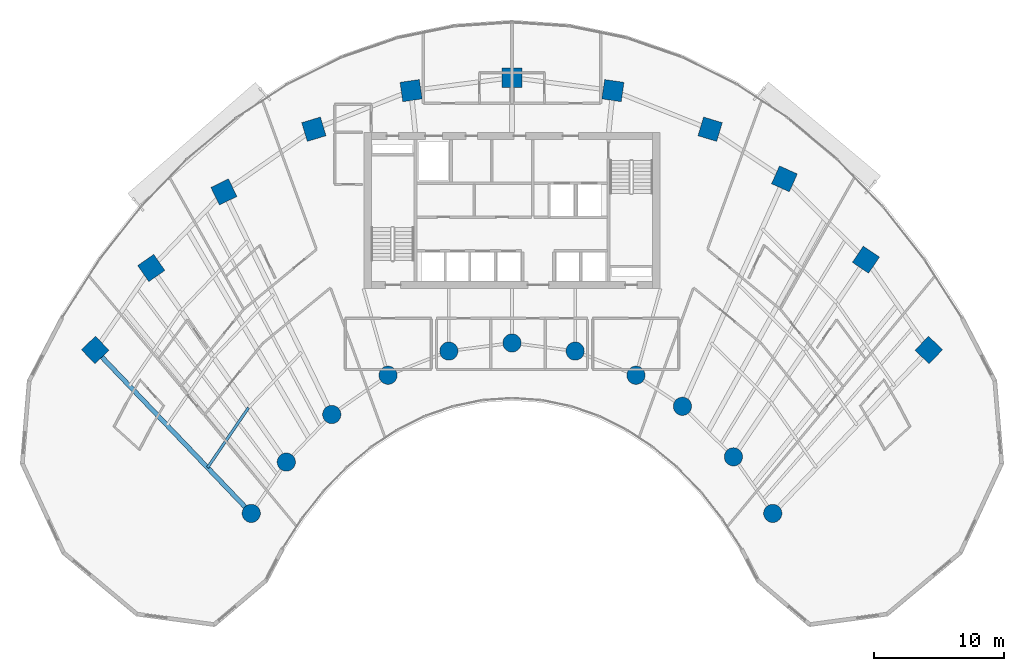
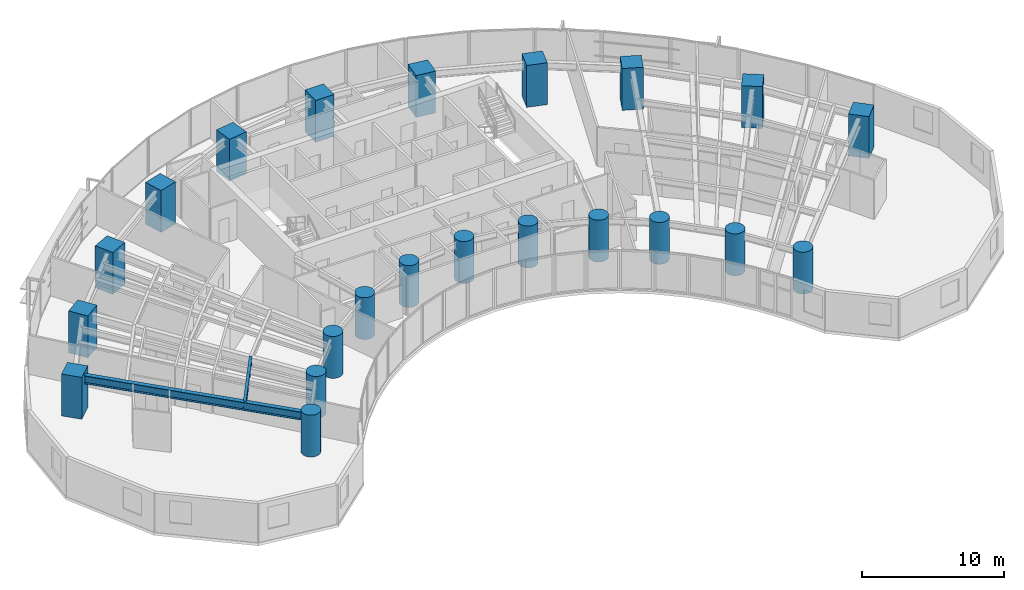
# One storey, part 1 of 17: 22 columns, 2 beams.
"""IFC4 building model written with IfcOpenShell, lengths in metres."""

import ifcopenshell
import ifcopenshell.guid

model = None  # the IFC model being written
_history = None  # IfcOwnerHistory: only IFC2X3 demands one
_inside = {}  # id of a spatial element -> (the spatial element, [elements in it])
_under = {}  # id of a project, library or spatial element -> (it, [spatial elements below it])
_declared = {}  # id of a project -> (the project, [libraries it declares])
_typed = {}  # id of a type object -> (the type object, [elements of that type])
_made_of = {}  # id of a material, layer set ... -> (it, [elements and type objects made of it])


def new_model(schema):
    """Start an empty IFC model of exactly this schema.

    Asked for "IFC4X3", IfcOpenShell would pick the latest addendum, in which some entities
    have other attributes; the version numbers below select the first issue.
    IFC2X3 requires an IfcOwnerHistory on every rooted entity: one is made here for all.
    """
    global model, _history
    if schema == "IFC4X3":
        model = ifcopenshell.file(schema_version=(4, 3, 0, 0))
    else:
        model = ifcopenshell.file(schema=schema)
    _inside.clear()
    _under.clear()
    _declared.clear()
    _typed.clear()
    _made_of.clear()
    _history = None
    if model.schema == "IFC2X3":
        org = make("IfcOrganization", Name="unknown")
        user = make(
            "IfcPersonAndOrganization",
            ThePerson=make("IfcPerson", FamilyName="unknown"),
            TheOrganization=org,
        )
        app = make(
            "IfcApplication",
            ApplicationDeveloper=org,
            Version="unknown",
            ApplicationFullName="unknown",
            ApplicationIdentifier="unknown",
        )
        _history = make(
            "IfcOwnerHistory",
            OwningUser=user,
            OwningApplication=app,
            ChangeAction="ADDED",
            CreationDate=0,
        )
    return model


def make(cls, **values):
    """One entity of the class cls with the attributes given. An attribute that is None is left unset."""
    return model.create_entity(
        cls, **{name: value for name, value in values.items() if value is not None}
    )


def rooted(cls, **values):
    """An entity with a GlobalId (a new one), such as an element, a storey or a relation."""
    return make(cls, GlobalId=ifcopenshell.guid.new(), OwnerHistory=_history, **values)


def si_unit(unit_type, name, prefix=None):
    """IfcSIUnit, for example si_unit("LENGTHUNIT", "METRE", prefix="MILLI")."""
    return make("IfcSIUnit", UnitType=unit_type, Prefix=prefix, Name=name)


def assignment(units):
    """IfcUnitAssignment: the units of a project."""
    return None if units is None else make("IfcUnitAssignment", Units=units)


def point(xyz):
    """IfcCartesianPoint."""
    return None if xyz is None else make("IfcCartesianPoint", Coordinates=xyz)


def direction(xyz):
    """IfcDirection."""
    return None if xyz is None else make("IfcDirection", DirectionRatios=xyz)


def frame(location, z_axis=None, x_axis=None):
    """IfcAxis2Placement3D, a coordinate frame: its origin and axes. An axis left out is left unset."""
    return make(
        "IfcAxis2Placement3D",
        Location=point(location),
        Axis=direction(z_axis),
        RefDirection=direction(x_axis),
    )


def frame_2d(location, x_axis=None):
    """IfcAxis2Placement2D, a coordinate frame in the plane: its origin and x axis."""
    return make(
        "IfcAxis2Placement2D", Location=point(location), RefDirection=direction(x_axis)
    )


def origin():
    """The frame at (0, 0, 0) with its axes left unset."""
    return frame((0.0, 0.0, 0.0))


def origin_2d():
    """The frame at (0, 0) in the plane with its x axis left unset."""
    return frame_2d((0.0, 0.0))


def place(relative_to, where):
    """IfcLocalPlacement: puts the frame where relative to a parent placement (None: the world)."""
    return make(
        "IfcLocalPlacement", PlacementRelTo=relative_to, RelativePlacement=where
    )


def context(
    kind, dimensions, precision=None, world=None, true_north=None, identifier=None
):
    """IfcGeometricRepresentationContext, for example the 3D "Model" context."""
    return make(
        "IfcGeometricRepresentationContext",
        ContextIdentifier=identifier,
        ContextType=kind,
        CoordinateSpaceDimension=dimensions,
        Precision=precision,
        WorldCoordinateSystem=world,
        TrueNorth=true_north,
    )


def subcontext(parent, identifier, kind, view, scale=None):
    """IfcGeometricRepresentationSubContext, for example "Body" below "Model"."""
    return make(
        "IfcGeometricRepresentationSubContext",
        ContextIdentifier=identifier,
        ContextType=kind,
        ParentContext=parent,
        TargetScale=scale,
        TargetView=view,
    )


def project(units=None, contexts=None):
    """IfcProject with its units and contexts."""
    return rooted(
        "IfcProject",
        Name="project",
        RepresentationContexts=contexts,
        UnitsInContext=assignment(units),
    )


def spatial(cls, under=None, at=None, **own):
    """A site, building, storey or space (cls), placed at a placement, below another one or the project."""
    s = rooted(cls, ObjectPlacement=at, **own)
    if under is not None:
        _under.setdefault(under.id(), (under, []))[1].append(s)
    return s


def profile(cls, at=None, kind="AREA", **sizes):
    """A parametric profile (cls). Its sizes go by their IFC names, for example OverallWidth=200.0."""
    return make(cls, ProfileType=kind, Position=at, **sizes)


def rectangle(**sizes):
    """IfcRectangleProfileDef."""
    return profile("IfcRectangleProfileDef", **sizes)


def circle(**sizes):
    """IfcCircleProfileDef."""
    return profile("IfcCircleProfileDef", **sizes)


def i_section(**sizes):
    """IfcIShapeProfileDef."""
    return profile("IfcIShapeProfileDef", **sizes)


def extrude(swept, where, along, depth):
    """IfcExtrudedAreaSolid: the profile swept, set in the frame where, extruded along a direction by depth."""
    return make(
        "IfcExtrudedAreaSolid",
        SweptArea=swept,
        Position=where,
        ExtrudedDirection=direction(along),
        Depth=depth,
    )


def shape(context_of_items, identifier, shape_type, items):
    """IfcShapeRepresentation: the items that make up one representation, for example the "Body"."""
    return make(
        "IfcShapeRepresentation",
        ContextOfItems=context_of_items,
        RepresentationIdentifier=identifier,
        RepresentationType=shape_type,
        Items=items,
    )


def source(mapping_origin, context_of_items, identifier, shape_type, items):
    """IfcRepresentationMap: a shape defined once, which mapped items show again and again."""
    return make(
        "IfcRepresentationMap",
        MappingOrigin=mapping_origin,
        MappedRepresentation=shape(context_of_items, identifier, shape_type, items),
    )


def transform(
    local_origin,
    x_axis=None,
    y_axis=None,
    z_axis=None,
    scale=None,
    scale2=None,
    scale3=None,
    uniform=True,
):
    """IfcCartesianTransformationOperator3D, or its non-uniform kind. x_axis, y_axis, z_axis: its Axis1, 2, 3."""
    if uniform:
        return make(
            "IfcCartesianTransformationOperator3D",
            Axis1=direction(x_axis),
            Axis2=direction(y_axis),
            LocalOrigin=point(local_origin),
            Scale=scale,
            Axis3=direction(z_axis),
        )
    return make(
        "IfcCartesianTransformationOperator3DnonUniform",
        Axis1=direction(x_axis),
        Axis2=direction(y_axis),
        LocalOrigin=point(local_origin),
        Scale=scale,
        Axis3=direction(z_axis),
        Scale2=scale2,
        Scale3=scale3,
    )


def mapped(mapping_source, mapping_target):
    """IfcMappedItem: shows the shape of a source again, moved by a transform."""
    return make(
        "IfcMappedItem", MappingSource=mapping_source, MappingTarget=mapping_target
    )


def material(Name=None, Category=None):
    """IfcMaterial."""
    return make("IfcMaterial", Name=Name, Category=Category)


def material_profile(
    of_material, cross_section, Name=None, Category=None, Priority=None
):
    """IfcMaterialProfile: a cross section and its material."""
    return make(
        "IfcMaterialProfile",
        Name=Name,
        Material=of_material,
        Profile=cross_section,
        Priority=Priority,
        Category=Category,
    )


def profile_set(profiles, Name=None, composite=None):
    """IfcMaterialProfileSet."""
    return make(
        "IfcMaterialProfileSet",
        Name=Name,
        MaterialProfiles=profiles,
        CompositeProfile=composite,
    )


def made_of(thing, what):
    """Note that an element or type object is made of a material, layer set ...; save() writes the relation."""
    if what is not None:
        _made_of.setdefault(what.id(), (what, []))[1].append(thing)
    return thing


def type_object(cls, material=None, **own):
    """A type object (cls), such as IfcWallType, which elements share."""
    return made_of(rooted(cls, **own), material)


def type_shapes(of_type, sources):
    """Give a type object the sources (RepresentationMaps) that its elements show as mapped items."""
    of_type.RepresentationMaps = sources


def element(
    cls,
    number,
    at=None,
    inside=None,
    cuts=None,
    type_object=None,
    material=None,
    context=None,
    identifier="Body",
    shape_type=None,
    held_by="IfcProductDefinitionShape",
    body=None,
    shapes=None,
    **own,
):
    """One element of the class cls, such as IfcWall. Its Tag is "e" and its number.

    at: its placement. inside: the storey or other place that contains it. cuts: it is an
    opening in that element (IfcRelVoidsElement). A single representation is given by context,
    identifier, shape_type and body (its items); several are given by shapes. held_by: the class
    of the entity that holds the representations. save() writes the other relations.
    """
    e = rooted(cls, Tag="e%d" % number, ObjectPlacement=at, **own)
    if body is not None:
        shapes = [shape(context, identifier, shape_type, body)]
    if shapes is not None:
        e.Representation = make(held_by, Representations=shapes)
    if inside is not None:
        _inside.setdefault(inside.id(), (inside, []))[1].append(e)
    if cuts is not None:
        rooted(
            "IfcRelVoidsElement", RelatingBuildingElement=cuts, RelatedOpeningElement=e
        )
    if type_object is not None:
        _typed.setdefault(type_object.id(), (type_object, []))[1].append(e)
    return made_of(e, material)


def aggregate(whole, parts):
    """IfcRelAggregates: a whole, such as a stair, and the parts it consists of."""
    return rooted("IfcRelAggregates", RelatingObject=whole, RelatedObjects=parts)


def save(model, path):
    """Write the relations noted so far, then the file.

    IfcRelAggregates (storeys below a building ...), IfcRelContainedInSpatialStructure (elements
    in a storey), IfcRelDefinesByType, IfcRelAssociatesMaterial and IfcRelDeclares: one each for
    every whole, place, type object, material and project.
    """
    for whole, parts in _under.values():
        aggregate(whole, parts)
    for where, things in _inside.values():
        rooted(
            "IfcRelContainedInSpatialStructure",
            RelatedElements=things,
            RelatingStructure=where,
        )
    for kind, things in _typed.values():
        rooted("IfcRelDefinesByType", RelatedObjects=things, RelatingType=kind)
    for what, things in _made_of.values():
        rooted("IfcRelAssociatesMaterial", RelatedObjects=things, RelatingMaterial=what)
    for by, libraries in _declared.values():
        rooted("IfcRelDeclares", RelatingContext=by, RelatedDefinitions=libraries)
    model.write(path)


model = new_model("IFC4")

# Units and contexts
model_context = context("Model", 3, precision=1e-05, world=origin(), true_north=direction((0.0, 1.0)))
body_context = subcontext(model_context, "Body", "Model", "MODEL_VIEW")
ifc_project = project(units=[si_unit("LENGTHUNIT", "METRE"), si_unit("AREAUNIT", "SQUARE_METRE"), si_unit("VOLUMEUNIT", "CUBIC_METRE"), si_unit("PLANEANGLEUNIT", "RADIAN"), si_unit("MASSUNIT", "GRAM", prefix="KILO")], contexts=[model_context])

# Site, building, storey
site_placement = place(None, origin())
site = spatial("IfcSite", under=ifc_project, at=site_placement, CompositionType="ELEMENT")
building_placement = place(site_placement, origin())
building = spatial("IfcBuilding", under=site, at=building_placement, Name="Breltana Convention Tower", CompositionType="ELEMENT")
storey_placement = place(building_placement, frame((0.0, 0.0, 46.199951171875)))
storey = spatial("IfcBuildingStorey", under=building, at=storey_placement, Name="L09", CompositionType="ELEMENT", Elevation=46.199951171875)

# Columns
ifc_material_1 = material(Name="Concrete C60/75", Category="concrete")
ifc_material_profile_1 = material_profile(ifc_material_1, circle(Radius=0.699951171875, at=origin_2d()), Name="RC-COL-D1400")
ifc_profile_set_1 = profile_set([ifc_material_profile_1], Name="Concrete C60/75")
column_type_1 = type_object("IfcColumnType", Name="COL-RC-D1400", PredefinedType="COLUMN", material=ifc_profile_set_1)
shared_shape_1 = source(origin(), body_context, "Body", "SweptSolid", [
    extrude(circle(Radius=0.699951171875, at=origin_2d()), origin(), (0.0, 0.0, 1.0), 3.60009765625),
])
for number, where, z_axis, x_axis, name in (
    (1, (27.984619140625, 42.95458984375, 0.0), (0.0, 0.0, 1.0), (-0.690756218984, 0.723087716626, 0.0), "L09 Tower Column R01-IN"),
    (2, (30.67724609375, 46.892333984375, 0.0), (0.0, 0.0, 1.0), (-0.571143442153, 0.820850271661, 0.0), "L09 Tower Column R02-IN"),
    (3, (34.166259765625, 50.544921875, 0.0), (0.0, 0.0, 1.0), (-0.436173672171, 0.899862504889, 0.0), "L09 Tower Column R03-IN"),
    (4, (38.485107421875, 53.5576171875, 0.0), (0.0, 0.0, 1.0), (-0.288697611798, 0.957420330337, 0.0), "L09 Tower Column R04-IN"),
    (5, (43.153564453125, 55.41064453125, 0.0), (0.0, 0.0, 1.0), (-0.143492621991, 0.98965138682, 0.0), "L09 Tower Column R05-IN"),
    (6, (48.0, 56.035888671875, 0.0), (0.0, 0.0, 1.0), (0.0, 1.0, 0.0), "L09 Tower Column R06-IN"),
    (7, (52.846435546875, 55.41064453125, 0.0), (0.0, 0.0, 1.0), (0.143492621991, 0.98965138682, 0.0), "L09 Tower Column R07-IN"),
    (8, (57.514892578125, 53.5576171875, 0.0), (0.0, 0.0, 1.0), (0.288697611798, 0.957420330337, 0.0), "L09 Tower Column R08-IN"),
    (9, (61.08203125, 51.174560546875, 0.0), (0.0, 0.0, 1.0), (0.409126902895, 0.912477494148, 0.0), "L09 Tower Column R09-IN"),
    (10, (64.995849609375, 47.293701171875, 0.0), (0.0, 0.0, 1.0), (0.55774510898, 0.830012285095, 0.0), "L09 Tower Column R10-IN"),
    (11, (68.015380859375, 42.95458984375, 0.0), (0.0, 0.0, 1.0), (0.690756218984, 0.723087716626, 0.0), "L09 Tower Column R11-IN"),
):
    element("IfcColumn", number, at=place(storey_placement, frame(where, z_axis=z_axis, x_axis=x_axis)), inside=storey, type_object=column_type_1, Name=name, PredefinedType="COLUMN", context=body_context, shape_type="MappedRepresentation", body=[
        mapped(shared_shape_1, transform((0.0, 0.0, 0.0), scale=1.0)),
    ])
ifc_material_profile_2 = material_profile(ifc_material_1, rectangle(XDim=1.5, YDim=1.5, at=origin_2d()), Name="RC-COL-1500X1500")
ifc_profile_set_2 = profile_set([ifc_material_profile_2], Name="Concrete C60/75")
column_type_2 = type_object("IfcColumnType", Name="COL-RC-1500", PredefinedType="COLUMN", material=ifc_profile_set_2)
shared_shape_2 = source(origin(), body_context, "Body", "SweptSolid", [
    extrude(rectangle(XDim=1.5, YDim=1.5, at=origin_2d()), origin(), (0.0, 0.0, 1.0), 3.60009765625),
])
for number, where, z_axis, x_axis, name in (
    (12, (16.0068359375, 55.494384765625, 0.0), (0.0, 0.0, 1.0), (-0.690756218984, 0.723087716626, 0.0), "L09 Tower Column R01-OUT"),
    (13, (20.310791015625, 61.78857421875, 0.0), (0.0, 0.0, 1.0), (-0.571143442153, 0.820850271661, 0.0), "L09 Tower Column R02-OUT"),
    (14, (25.8876953125, 67.626953125, 0.0), (0.0, 0.0, 1.0), (-0.436173672171, 0.899862504889, 0.0), "L09 Tower Column R03-OUT"),
    (15, (32.791015625, 72.4423828125, 0.0), (0.0, 0.0, 1.0), (-0.288697611798, 0.957420330337, 0.0), "L09 Tower Column R04-OUT"),
    (16, (40.253173828125, 75.404296875, 0.0), (0.0, 0.0, 1.0), (-0.143492621991, 0.98965138682, 0.0), "L09 Tower Column R05-OUT"),
    (17, (48.0, 76.404052734375, 0.0), (0.0, 0.0, 1.0), (0.0, 1.0, 0.0), "L09 Tower Column R06-OUT"),
    (18, (55.746826171875, 75.404296875, 0.0), (0.0, 0.0, 1.0), (0.143492621991, 0.98965138682, 0.0), "L09 Tower Column R07-OUT"),
    (19, (63.208984375, 72.4423828125, 0.0), (0.0, 0.0, 1.0), (0.288697611798, 0.957420330337, 0.0), "L09 Tower Column R08-OUT"),
    (20, (68.910400390625, 68.63330078125, 0.0), (0.0, 0.0, 1.0), (0.409126902895, 0.912477494148, 0.0), "L09 Tower Column R09-OUT"),
    (21, (75.166748046875, 62.43017578125, 0.0), (0.0, 0.0, 1.0), (0.55774510898, 0.830012285095, 0.0), "L09 Tower Column R10-OUT"),
    (22, (79.9931640625, 55.494384765625, 0.0), (0.0, 0.0, 1.0), (0.690756218984, 0.723087716626, 0.0), "L09 Tower Column R11-OUT"),
):
    element("IfcColumn", number, at=place(storey_placement, frame(where, z_axis=z_axis, x_axis=x_axis)), inside=storey, type_object=column_type_2, Name=name, PredefinedType="COLUMN", context=body_context, shape_type="MappedRepresentation", body=[
        mapped(shared_shape_2, transform((0.0, 0.0, 0.0), scale=1.0)),
    ])

# Beams
ifc_material_2 = material(Name="Steel ASTM A992 Grade 50", Category="steel")
ifc_material_profile_3 = material_profile(ifc_material_2, i_section(OverallWidth=0.35498046875, OverallDepth=0.696044921875, WebThickness=0.015380859375, FlangeThickness=0.02490234375, at=origin_2d()), Name="W27X146")
ifc_profile_set_3 = profile_set([ifc_material_profile_3], Name="Steel ASTM A992 Grade 50")
beam_type_1 = type_object("IfcBeamType", Name="BM-RG-W27X146", PredefinedType="USERDEFINED", material=ifc_profile_set_3)
shared_shape_3 = source(origin(), body_context, "Body", "SweptSolid", [
    extrude(i_section(OverallWidth=0.35498046875, OverallDepth=0.696044921875, WebThickness=0.015380859375, FlangeThickness=0.02490234375, at=origin_2d()), origin(), (0.0, 0.0, 1.0), 17.341064453125),
])
type_shapes(beam_type_1, [shared_shape_3])
beam_1_placement = place(storey_placement, frame((27.984619140625, 42.95458984375, 3.011962890625), z_axis=(-0.690716462293, 0.723125693581, 0.0), x_axis=(-0.723125693581, -0.690716462293, 0.0)))
element("IfcBeam", 23, at=beam_1_placement, inside=storey, type_object=beam_type_1, Name="L09 Radial Floor Girder R01", ObjectType="GIRDER", PredefinedType="USERDEFINED", context=body_context, shape_type="MappedRepresentation", body=[
    mapped(shared_shape_3, transform((0.0, 0.0, 0.0), scale=1.0)),
])
ifc_material_profile_4 = material_profile(ifc_material_2, i_section(OverallWidth=0.2099609375, OverallDepth=0.537109375, WebThickness=0.010986328125, FlangeThickness=0.017333984375, at=origin_2d()), Name="W21X68")
ifc_profile_set_4 = profile_set([ifc_material_profile_4], Name="Steel ASTM A992 Grade 50")
beam_type_2 = type_object("IfcBeamType", Name="BM-JSG-04", PredefinedType="JOIST", material=ifc_profile_set_4)
shared_shape_4 = source(origin(), body_context, "Body", "SweptSolid", [
    extrude(i_section(OverallWidth=0.2099609375, OverallDepth=0.537109375, WebThickness=0.010986328125, FlangeThickness=0.017333984375, at=origin_2d()), origin(), (0.0, 0.0, 1.0), 5.569580078125),
])
type_shapes(beam_type_2, [shared_shape_4])
beam_2_placement = place(storey_placement, frame((24.630615234375, 46.4658203125, 3.091552734375), z_axis=(0.564493760458, 0.825437335237, 0.0), x_axis=(-0.825437335237, 0.564493760458, 0.0)))
element("IfcBeam", 24, at=beam_2_placement, inside=storey, type_object=beam_type_2, Name="L09 Composite Floor Joist 01.1", PredefinedType="JOIST", context=body_context, shape_type="MappedRepresentation", body=[
    mapped(shared_shape_4, transform((0.0, 0.0, 0.0), scale=1.0)),
])

save(model, "model.ifc")
